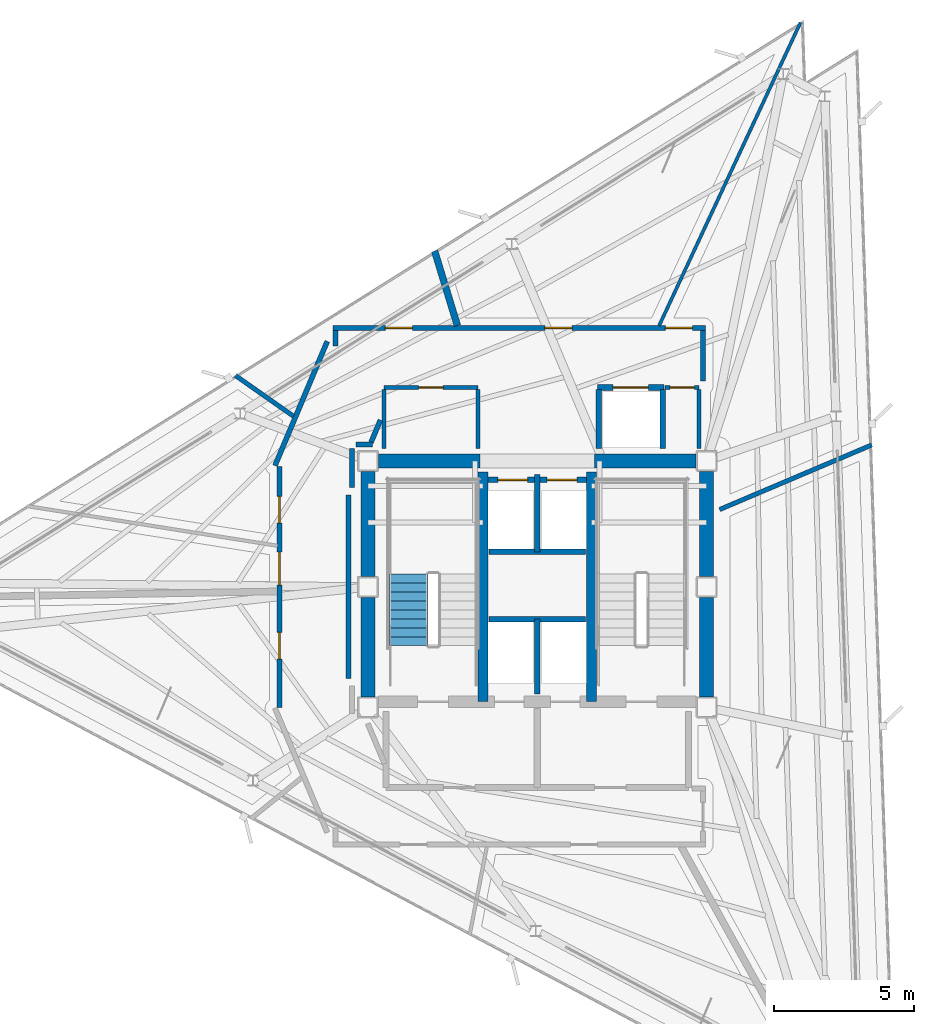
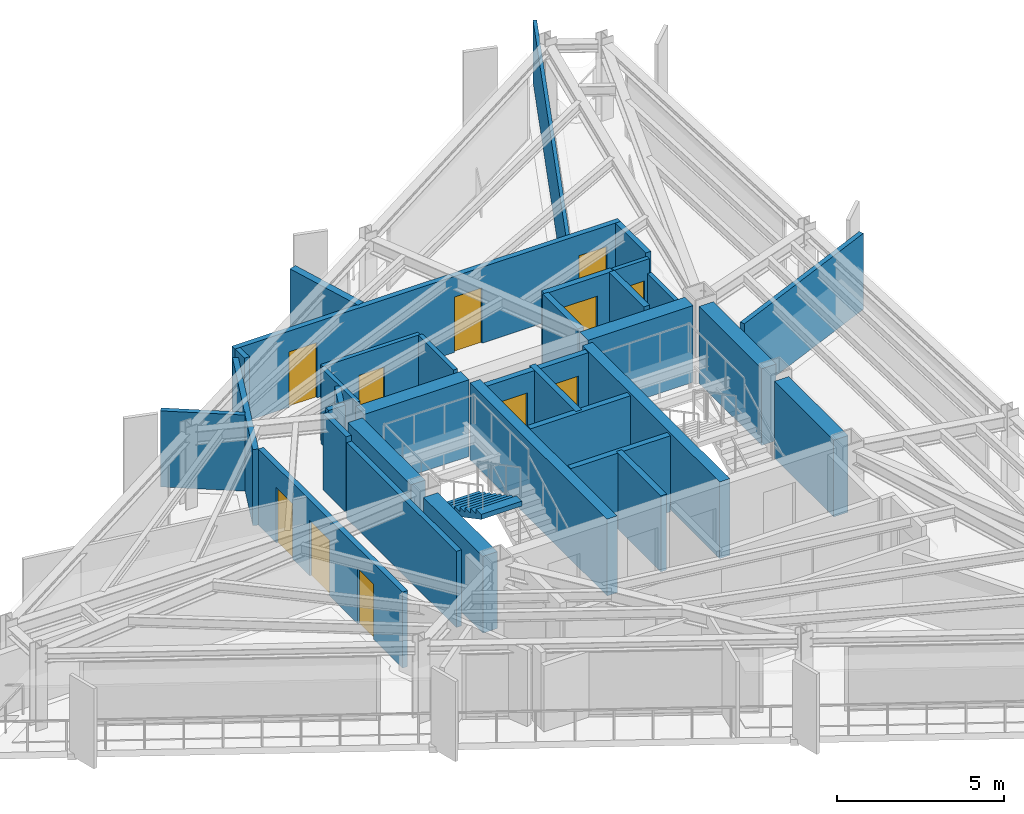
# One storey, part 9 of 13: 34 walls, 11 doors, 1 stair flight, 11 openings, 1 element without a shape of its own.
"""IFC4 building model written with IfcOpenShell, lengths in metres."""

from ifc_helpers import new_model, si_unit, direction, frame, frame_2d, origin, place, context, subcontext, project, spatial, polyline, rectangle, outline, extrude, material, layer, layer_set, type_object, element, fill, aggregate, save


model = new_model("IFC4")

# Units and contexts
model_context = context("Model", 3, precision=1e-05, world=origin(), true_north=direction((0.0, 1.0)))
body_context = subcontext(model_context, "Body", "Model", "MODEL_VIEW")
ifc_project = project(units=[si_unit("LENGTHUNIT", "METRE"), si_unit("AREAUNIT", "SQUARE_METRE"), si_unit("VOLUMEUNIT", "CUBIC_METRE"), si_unit("PLANEANGLEUNIT", "RADIAN"), si_unit("MASSUNIT", "GRAM", prefix="KILO")], contexts=[model_context])

# Site, building, storey
site_placement = place(None, origin())
site = spatial("IfcSite", under=ifc_project, at=site_placement, CompositionType="ELEMENT")
building_placement = place(site_placement, origin())
building = spatial("IfcBuilding", under=site, at=building_placement, Name="Rocaltana Carrier Exchange", CompositionType="ELEMENT")
storey_placement = place(building_placement, frame((0.0, 0.0, 196.639892578125)))
storey = spatial("IfcBuildingStorey", under=building, at=storey_placement, Name="L62", CompositionType="ELEMENT", Elevation=196.639892578125)

# Walls
ifc_material_1 = material(Name="Double Acoustic Gypsum Partition", Category="gypsum")
ifc_layer_1 = layer(ifc_material_1, 0.159912109375)
ifc_layer_set_1 = layer_set([ifc_layer_1], Name="Double Acoustic Gypsum Partition")
wall_type_1 = type_object("IfcWallType", Name="Acoustic Studio Partition 160 EI60", PredefinedType="PARTITIONING", material=ifc_layer_set_1)
wall_1_placement = place(storey_placement, frame((6.510009765625, 2.76318359375, 0.0), z_axis=(0.0, 0.0, 1.0), x_axis=(0.920487144923, 0.390772844543, 0.0)))
element("IfcWall", 1, at=wall_1_placement, inside=storey, type_object=wall_type_1, Name="L62 Suite Divider Wall D5", PredefinedType="PARTITIONING", context=body_context, shape_type="SweptSolid", body=[
    extrude(rectangle(XDim=5.904052734375, YDim=0.159912109375, at=frame_2d((2.9521484375, 0.0))), origin(), (0.0, 0.0, 1.0), 2.773193359375),
])
wall_2_placement = place(storey_placement, frame((-8.71044921875, 6.09912109375, 0.0), z_axis=(0.0, 0.0, 1.0), x_axis=(-0.819154754917, 0.573572565154, 0.0)))
element("IfcWall", 2, at=wall_2_placement, inside=storey, type_object=wall_type_1, Name="L62 Suite Divider Wall D8", PredefinedType="PARTITIONING", context=body_context, shape_type="SweptSolid", body=[
    extrude(rectangle(XDim=2.527099609375, YDim=0.159912109375, at=frame_2d((1.263671875, 0.0))), origin(), (0.0, 0.0, 1.0), 2.773193359375),
])
ifc_material_2 = material(Name="Concrete C50/60", Category="concrete")
ifc_layer_2 = layer(ifc_material_2, 0.35009765625)
ifc_layer_set_2 = layer_set([ifc_layer_2], Name="Concrete C50/60")
wall_type_2 = type_object("IfcWallType", Name="Core Internal Shear Wall 350", PredefinedType="SHEAR", material=ifc_layer_set_2)
for number, where, z_axis, x_axis, name in (
    (3, (-1.93994140625, -4.10009765625, 0.0), (0.0, 0.0, 1.0), (0.0, 1.0, 0.0), "L62 Core Shear Wall CW-STW"),
    (4, (1.93994140625, -4.10009765625, 0.0), (0.0, 0.0, 1.0), (0.0, 1.0, 0.0), "L62 Core Shear Wall CW-STE"),
):
    element("IfcWall", number, at=place(storey_placement, frame(where, z_axis=z_axis, x_axis=x_axis)), inside=storey, type_object=wall_type_2, Name=name, PredefinedType="SHEAR", context=body_context, shape_type="SweptSolid", body=[
        extrude(rectangle(XDim=8.2001953125, YDim=0.35009765625, at=frame_2d((4.10009765625, 0.0))), origin(), (0.0, 0.0, 1.0), 2.798095703125),
    ])
ifc_material_3 = material(Name="Concrete C50/60", Category="concrete")
ifc_layer_3 = layer(ifc_material_3, 0.5)
ifc_layer_set_3 = layer_set([ifc_layer_3], Name="Concrete C50/60")
wall_type_3 = type_object("IfcWallType", Name="Core Shear Wall 500", PredefinedType="SHEAR", material=ifc_layer_set_3)
wall_3_placement = place(storey_placement, frame((-6.050048828125, 0.375, 0.0), z_axis=(0.0, 0.0, 1.0), x_axis=(0.0, 1.0, 0.0)))
element("IfcWall", 5, at=wall_3_placement, inside=storey, type_object=wall_type_3, Name="L62 Core Shear Wall CW-WN", PredefinedType="SHEAR", context=body_context, shape_type="SweptSolid", body=[
    extrude(rectangle(XDim=3.75, YDim=0.5, at=frame_2d((1.875, 0.0))), origin(), (0.0, 0.0, 1.0), 2.798095703125),
])
wall_4_placement = place(storey_placement, frame((-6.050048828125, -3.925048828125, 0.0), z_axis=(0.0, 0.0, 1.0), x_axis=(0.0, 1.0, 0.0)))
element("IfcWall", 6, at=wall_4_placement, inside=storey, type_object=wall_type_3, Name="L62 Core Shear Wall CW-WS", PredefinedType="SHEAR", context=body_context, shape_type="SweptSolid", body=[
    extrude(rectangle(XDim=3.550048828125, YDim=0.5, at=frame_2d((1.77490234375, 0.0))), origin(), (0.0, 0.0, 1.0), 2.798095703125),
])
wall_5_placement = place(storey_placement, frame((6.050048828125, 0.375, 0.0), z_axis=(0.0, 0.0, 1.0), x_axis=(0.0, 1.0, 0.0)))
element("IfcWall", 7, at=wall_5_placement, inside=storey, type_object=wall_type_3, Name="L62 Core Shear Wall CW-EN", PredefinedType="SHEAR", context=body_context, shape_type="SweptSolid", body=[
    extrude(rectangle(XDim=3.75, YDim=0.5, at=frame_2d((1.875, 0.0))), origin(), (0.0, 0.0, 1.0), 2.798095703125),
])
wall_6_placement = place(storey_placement, frame((6.050048828125, -3.925048828125, 0.0), z_axis=(0.0, 0.0, 1.0), x_axis=(0.0, 1.0, 0.0)))
element("IfcWall", 8, at=wall_6_placement, inside=storey, type_object=wall_type_3, Name="L62 Core Shear Wall CW-ES", PredefinedType="SHEAR", context=body_context, shape_type="SweptSolid", body=[
    extrude(rectangle(XDim=3.550048828125, YDim=0.5, at=frame_2d((1.77490234375, 0.0))), origin(), (0.0, 0.0, 1.0), 2.798095703125),
])
for number, where, z_axis, x_axis, name in (
    (9, (-5.675048828125, 4.5, 0.0), (0.0, 0.0, 1.0), (1.0, 0.0, 0.0), "L62 Core Shear Wall CW-N1"),
    (10, (2.050048828125, 4.5, 0.0), (0.0, 0.0, 1.0), (1.0, 0.0, 0.0), "L62 Core Shear Wall CW-N2"),
):
    element("IfcWall", number, at=place(storey_placement, frame(where, z_axis=z_axis, x_axis=x_axis)), inside=storey, type_object=wall_type_3, Name=name, PredefinedType="SHEAR", context=body_context, shape_type="SweptSolid", body=[
        extrude(rectangle(XDim=3.625, YDim=0.5, at=frame_2d((1.8125, 0.0))), origin(), (0.0, 0.0, 1.0), 2.798095703125),
    ])

# Wall, openings, doors
ifc_material_4 = material(Name="Gypsum & Steel Stud Partition", Category="steel")
ifc_layer_4 = layer(ifc_material_4, 0.179931640625)
ifc_layer_set_4 = layer_set([ifc_layer_4], Name="Gypsum & Steel Stud Partition")
wall_type_4 = type_object("IfcWallType", Name="Corridor Fire Partition 180 EI60", PredefinedType="PARTITIONING", material=ifc_layer_set_4)
wall_7_placement = place(storey_placement, frame((-9.199951171875, -4.303466796875, 0.0), z_axis=(0.0, 0.0, 1.0), x_axis=(0.0, 1.0, 0.0)))
wall_7 = element("IfcWall", 11, at=wall_7_placement, inside=storey, type_object=wall_type_4, Name="L62 Corridor Partition 2", PredefinedType="PARTITIONING", context=body_context, shape_type="SweptSolid", body=[
    extrude(rectangle(XDim=8.60693359375, YDim=0.179931640625, at=frame_2d((4.303466796875, 0.0))), origin(), (0.0, 0.0, 1.0), 2.773193359375),
])
opening_1_placement = place(wall_7_placement, frame((1.720947265625, 0.0, 0.0)))
opening_1 = element("IfcOpeningElement", 12, at=opening_1_placement, cuts=wall_7, Name="Opening D-RM098", PredefinedType="OPENING", context=body_context, shape_type="SweptSolid", body=[
    extrude(rectangle(XDim=0.9599609375, YDim=2.02001953125, at=frame_2d((0.47998046875, 1.010009765625))), frame((0.0, 0.099853515625, 0.0), z_axis=(0.0, -1.0, 0.0), x_axis=(1.0, 0.0, 0.0)), (0.0, 0.0, 1.0), 0.199951171875),
])
opening_2_placement = place(wall_7_placement, frame((6.580322265625, 0.0, 0.0)))
opening_2 = element("IfcOpeningElement", 13, at=opening_2_placement, cuts=wall_7, Name="Opening D-RM098", PredefinedType="OPENING", context=body_context, shape_type="SweptSolid", body=[
    extrude(rectangle(XDim=0.9599609375, YDim=2.02001953125, at=frame_2d((0.47998046875, 1.010009765625))), frame((0.0, 0.099853515625, 0.0), z_axis=(0.0, -1.0, 0.0), x_axis=(1.0, 0.0, 0.0)), (0.0, 0.0, 1.0), 0.199951171875),
])
opening_3_placement = place(wall_7_placement, frame((4.366943359375, 0.0, 0.0)))
opening_3 = element("IfcOpeningElement", 14, at=opening_3_placement, cuts=wall_7, Name="Opening D-SU120", PredefinedType="OPENING", context=body_context, shape_type="SweptSolid", body=[
    extrude(rectangle(XDim=1.179931640625, YDim=2.02001953125, at=frame_2d((0.58984375, 1.010009765625))), frame((0.0, 0.099853515625, 0.0), z_axis=(0.0, -1.0, 0.0), x_axis=(1.0, 0.0, 0.0)), (0.0, 0.0, 1.0), 0.199951171875),
])
ifc_material_5 = material(Name="Engineered Hardwood Timber", Category="wood")
door_type_1 = type_object("IfcDoorType", Name="Suite Double Entrance Door 1180x2020", OperationType="NOTDEFINED", PredefinedType="DOOR", material=ifc_material_5)
door_1_placement = place(opening_3_placement, origin())
door_1 = element("IfcDoor", 15, at=door_1_placement, inside=storey, type_object=door_type_1, Name="L62 Carrier Peering Suite Entrance Door", OperationType="SINGLE_SWING_LEFT", OverallHeight=2.02001953125, OverallWidth=1.179931640625, PredefinedType="DOOR", context=body_context, shape_type="SweptSolid", body=[
    extrude(rectangle(XDim=1.179931640625, YDim=2.02001953125, at=frame_2d((0.58984375, 1.010009765625))), frame((0.0, 0.02490234375, 0.0), z_axis=(0.0, -1.0, 0.0), x_axis=(1.0, 0.0, 0.0)), (0.0, 0.0, 1.0), 0.050048828125),
])
fill(opening_3, door_1)
ifc_material_6 = material(Name="Engineered Hardwood Timber", Category="wood")
door_type_2 = type_object("IfcDoorType", Name="Workspace Single Door 960x2020", OperationType="NOTDEFINED", PredefinedType="DOOR", material=ifc_material_6)
door_2_placement = place(opening_1_placement, origin())
door_2 = element("IfcDoor", 16, at=door_2_placement, inside=storey, type_object=door_type_2, Name="L62 Peering Conference Room Entrance Door", OperationType="SINGLE_SWING_LEFT", OverallHeight=2.02001953125, OverallWidth=0.9599609375, PredefinedType="DOOR", context=body_context, shape_type="SweptSolid", body=[
    extrude(rectangle(XDim=0.9599609375, YDim=2.02001953125, at=frame_2d((0.47998046875, 1.010009765625))), frame((0.0, 0.02490234375, 0.0), z_axis=(0.0, -1.0, 0.0), x_axis=(1.0, 0.0, 0.0)), (0.0, 0.0, 1.0), 0.050048828125),
])
fill(opening_1, door_2)
door_3_placement = place(opening_2_placement, origin())
door_3 = element("IfcDoor", 17, at=door_3_placement, inside=storey, type_object=door_type_2, Name="L62 Incident Briefing Room Entrance Door", OperationType="SINGLE_SWING_RIGHT", OverallHeight=2.02001953125, OverallWidth=0.9599609375, PredefinedType="DOOR", context=body_context, shape_type="SweptSolid", body=[
    extrude(rectangle(XDim=0.9599609375, YDim=2.02001953125, at=frame_2d((0.47998046875, 1.010009765625))), frame((0.0, 0.02490234375, 0.0), z_axis=(0.0, -1.0, 0.0), x_axis=(1.0, 0.0, 0.0)), (0.0, 0.0, 1.0), 0.050048828125),
])
fill(opening_2, door_3)

# Walls
wall_8_placement = place(storey_placement, frame((-9.36669921875, 4.331787109375, 0.0), z_axis=(0.0, 0.0, 1.0), x_axis=(0.387573945081, 0.921838617706, 0.0)))
element("IfcWall", 18, at=wall_8_placement, inside=storey, type_object=wall_type_4, Name="L62 Corridor Partition 3", PredefinedType="PARTITIONING", context=body_context, shape_type="SweptSolid", body=[
    extrude(rectangle(XDim=4.813232421875, YDim=0.179931640625, at=frame_2d((2.40673828125, 0.0))), origin(), (0.0, 0.0, 1.0), 2.773193359375),
])
wall_9_placement = place(storey_placement, frame((-7.199951171875, 8.6005859375, 0.0), z_axis=(0.0, 0.0, 1.0), x_axis=(0.0, 1.0, 0.0)))
element("IfcWall", 19, at=wall_9_placement, inside=storey, type_object=wall_type_4, Name="L62 Corridor Partition 4", PredefinedType="PARTITIONING", context=body_context, shape_type="SweptSolid", body=[
    extrude(rectangle(XDim=0.559326171875, YDim=0.179931640625, at=frame_2d((0.27978515625, 0.0))), origin(), (0.0, 0.0, 1.0), 2.773193359375),
])

# Wall, openings, doors
wall_10_placement = place(storey_placement, frame((-7.2900390625, 9.25, 0.0), z_axis=(0.0, 0.0, 1.0), x_axis=(1.0, 0.0, 0.0)))
wall_10 = element("IfcWall", 20, at=wall_10_placement, inside=storey, type_object=wall_type_4, Name="L62 Corridor Partition 5", PredefinedType="PARTITIONING", context=body_context, shape_type="SweptSolid", body=[
    extrude(rectangle(XDim=13.300048828125, YDim=0.179931640625, at=frame_2d((6.64990234375, 0.0))), origin(), (0.0, 0.0, 1.0), 2.773193359375),
])
opening_4_placement = place(wall_10_placement, frame((11.8642578125, 0.0, 0.0)))
opening_4 = element("IfcOpeningElement", 21, at=opening_4_placement, cuts=wall_10, Name="Opening D-RM098", PredefinedType="OPENING", context=body_context, shape_type="SweptSolid", body=[
    extrude(rectangle(XDim=0.9599609375, YDim=2.02001953125, at=frame_2d((0.47998046875, 1.010009765625))), frame((0.0, 0.099853515625, 0.0), z_axis=(0.0, -1.0, 0.0), x_axis=(1.0, 0.0, 0.0)), (0.0, 0.0, 1.0), 0.199951171875),
])
opening_5_placement = place(wall_10_placement, frame((7.560546875, 0.0, 0.0)))
opening_5 = element("IfcOpeningElement", 22, at=opening_5_placement, cuts=wall_10, Name="Opening D-RM098", PredefinedType="OPENING", context=body_context, shape_type="SweptSolid", body=[
    extrude(rectangle(XDim=0.9599609375, YDim=2.02001953125, at=frame_2d((0.47998046875, 1.010009765625))), frame((0.0, 0.099853515625, 0.0), z_axis=(0.0, -1.0, 0.0), x_axis=(1.0, 0.0, 0.0)), (0.0, 0.0, 1.0), 0.199951171875),
])
opening_6_placement = place(wall_10_placement, frame((1.8671875, 0.0, 0.0)))
opening_6 = element("IfcOpeningElement", 23, at=opening_6_placement, cuts=wall_10, Name="Opening D-RM098", PredefinedType="OPENING", context=body_context, shape_type="SweptSolid", body=[
    extrude(rectangle(XDim=0.9599609375, YDim=2.02001953125, at=frame_2d((0.47998046875, 1.010009765625))), frame((0.0, 0.099853515625, 0.0), z_axis=(0.0, -1.0, 0.0), x_axis=(1.0, 0.0, 0.0)), (0.0, 0.0, 1.0), 0.199951171875),
])
door_4_placement = place(opening_4_placement, origin())
door_4 = element("IfcDoor", 24, at=door_4_placement, inside=storey, type_object=door_type_2, Name="L62 Executive Peering Boardroom Entrance Door", OperationType="SINGLE_SWING_LEFT", OverallHeight=2.02001953125, OverallWidth=0.9599609375, PredefinedType="DOOR", context=body_context, shape_type="SweptSolid", body=[
    extrude(rectangle(XDim=0.9599609375, YDim=2.02001953125, at=frame_2d((0.47998046875, 1.010009765625))), frame((0.0, 0.02490234375, 0.0), z_axis=(0.0, -1.0, 0.0), x_axis=(1.0, 0.0, 0.0)), (0.0, 0.0, 1.0), 0.050048828125),
])
fill(opening_4, door_4)
door_5_placement = place(opening_5_placement, origin())
door_5 = element("IfcDoor", 25, at=door_5_placement, inside=storey, type_object=door_type_2, Name="L62 Peering Conference Room Entrance Door", OperationType="SINGLE_SWING_RIGHT", OverallHeight=2.02001953125, OverallWidth=0.9599609375, PredefinedType="DOOR", context=body_context, shape_type="SweptSolid", body=[
    extrude(rectangle(XDim=0.9599609375, YDim=2.02001953125, at=frame_2d((0.47998046875, 1.010009765625))), frame((0.0, 0.02490234375, 0.0), z_axis=(0.0, -1.0, 0.0), x_axis=(1.0, 0.0, 0.0)), (0.0, 0.0, 1.0), 0.050048828125),
])
fill(opening_5, door_5)
door_6_placement = place(opening_6_placement, origin())
door_6 = element("IfcDoor", 26, at=door_6_placement, inside=storey, type_object=door_type_2, Name="L62 Quiet Focus Lounge Entrance Door", OperationType="SINGLE_SWING_LEFT", OverallHeight=2.02001953125, OverallWidth=0.9599609375, PredefinedType="DOOR", context=body_context, shape_type="SweptSolid", body=[
    extrude(rectangle(XDim=0.9599609375, YDim=2.02001953125, at=frame_2d((0.47998046875, 1.010009765625))), frame((0.0, 0.02490234375, 0.0), z_axis=(0.0, -1.0, 0.0), x_axis=(1.0, 0.0, 0.0)), (0.0, 0.0, 1.0), 0.050048828125),
])
fill(opening_6, door_6)

# Walls
wall_11_placement = place(storey_placement, frame((5.919921875, 9.159912109375, 0.0), z_axis=(0.0, 0.0, 1.0), x_axis=(0.0, -1.0, 0.0)))
element("IfcWall", 27, at=wall_11_placement, inside=storey, type_object=wall_type_4, Name="L62 Corridor Partition 6", PredefinedType="PARTITIONING", context=body_context, shape_type="SweptSolid", body=[
    extrude(rectangle(XDim=1.7998046875, YDim=0.179931640625, at=frame_2d((0.89990234375, 0.0))), origin(), (0.0, 0.0, 1.0), 2.773193359375),
])
wall_12_placement = place(storey_placement, frame((-5.602294921875, 5.9580078125, 0.0), z_axis=(0.0, 0.0, 1.0), x_axis=(-0.387588639363, -0.921832439566, 0.0)))
element("IfcWall", 28, at=wall_12_placement, inside=storey, type_object=wall_type_4, Name="L62 Corridor Partition 8", PredefinedType="PARTITIONING", context=body_context, shape_type="SweptSolid", body=[
    extrude(rectangle(XDim=0.8623046875, YDim=0.179931640625, at=frame_2d((0.43115234375, 0.0))), origin(), (0.0, 0.0, 1.0), 2.773193359375),
])
wall_13_placement = place(storey_placement, frame((-5.88134765625, 5.080078125, 0.0), z_axis=(0.0, 0.0, 1.0), x_axis=(-1.0, 0.0, 0.0)))
element("IfcWall", 29, at=wall_13_placement, inside=storey, type_object=wall_type_4, Name="L62 Corridor Partition 9", PredefinedType="PARTITIONING", context=body_context, shape_type="SweptSolid", body=[
    extrude(rectangle(XDim=0.588623046875, YDim=0.179931640625, at=frame_2d((0.29443359375, 0.0))), origin(), (0.0, 0.0, 1.0), 2.773193359375),
])
wall_14_placement = place(storey_placement, frame((-6.610107421875, 4.93994140625, 0.0), z_axis=(0.0, 0.0, 1.0), x_axis=(0.0, -1.0, 0.0)))
element("IfcWall", 30, at=wall_14_placement, inside=storey, type_object=wall_type_4, Name="L62 Corridor Partition 10", PredefinedType="PARTITIONING", context=body_context, shape_type="SweptSolid", body=[
    extrude(rectangle(XDim=1.398681640625, YDim=0.179931640625, at=frame_2d((0.69921875, 0.0))), origin(), (0.0, 0.0, 1.0), 2.773193359375),
])
wall_15_placement = place(storey_placement, frame((-6.75, 3.2734375, 0.0), z_axis=(0.0, 0.0, 1.0), x_axis=(0.0, -1.0, 0.0)))
element("IfcWall", 31, at=wall_15_placement, inside=storey, type_object=wall_type_4, Name="L62 Corridor Partition 11", PredefinedType="PARTITIONING", context=body_context, shape_type="SweptSolid", body=[
    extrude(rectangle(XDim=6.546875, YDim=0.179931640625, at=frame_2d((3.2734375, 0.0))), origin(), (0.0, 0.0, 1.0), 2.773193359375),
])
ifc_material_7 = material(Name="Aluminium 6063-T6 & Acoustic Glass", Category="aluminium")
ifc_layer_5 = layer(ifc_material_7, 0.114990234375)
ifc_layer_set_5 = layer_set([ifc_layer_5], Name="Aluminium 6063-T6 & Acoustic Glass")
wall_type_5 = type_object("IfcWallType", Name="Demountable Glazed Lab Partition 115", PredefinedType="MOVABLE", material=ifc_layer_set_5)
wall_16_placement = place(storey_placement, frame((4.3505859375, 9.330078125, 0.0), z_axis=(0.0, 0.0, 1.0), x_axis=(0.422616983209, 0.906308383225, 0.0)))
element("IfcWall", 32, at=wall_16_placement, inside=storey, type_object=wall_type_5, Name="L62 Suite Divider Wall D6", PredefinedType="MOVABLE", context=body_context, shape_type="SweptSolid", body=[
    extrude(rectangle(XDim=11.9482421875, YDim=0.114990234375, at=frame_2d((5.97412109375, 0.0))), origin(), (0.0, 0.0, 1.0), 2.253173828125),
])
ifc_material_8 = material(Name="Acoustic Calcium Silicate Partition", Category="gypsum")
ifc_layer_6 = layer(ifc_material_8, 0.239990234375)
ifc_layer_set_6 = layer_set([ifc_layer_6], Name="Acoustic Calcium Silicate Partition")
wall_type_6 = type_object("IfcWallType", Name="Heavy Lab Partition 240 EI90", PredefinedType="PARTITIONING", material=ifc_layer_set_6)
wall_17_placement = place(storey_placement, frame((-2.8525390625, 9.330078125, 0.0), z_axis=(0.0, 0.0, 1.0), x_axis=(-0.292329881005, 0.956317541757, 0.0)))
element("IfcWall", 33, at=wall_17_placement, inside=storey, type_object=wall_type_6, Name="L62 Suite Divider Wall D7", PredefinedType="PARTITIONING", context=body_context, shape_type="SweptSolid", body=[
    extrude(rectangle(XDim=2.78515625, YDim=0.239990234375, at=frame_2d((1.392578125, 0.0))), origin(), (0.0, 0.0, 1.0), 2.773193359375),
])
ifc_material_9 = material(Name="Reinforced Concrete Block C35/45", Category="concrete")
ifc_layer_7 = layer(ifc_material_9, 0.199951171875)
ifc_layer_set_7 = layer_set([ifc_layer_7], Name="Reinforced Concrete Block C35/45")
wall_type_7 = type_object("IfcWallType", Name="Lift Hoistway Enclosure Wall 200 EI120", PredefinedType="PARTITIONING", material=ifc_layer_set_7)
wall_18_placement = place(storey_placement, frame((0.0, -3.820068359375, 0.0), z_axis=(0.0, 0.0, 1.0), x_axis=(0.0, 1.0, 0.0)))
element("IfcWall", 34, at=wall_18_placement, inside=storey, type_object=wall_type_7, Name="L62 FFL Shaft Divider", PredefinedType="PARTITIONING", context=body_context, shape_type="SweptSolid", body=[
    extrude(rectangle(XDim=2.670166015625, YDim=0.199951171875, at=frame_2d((1.3349609375, 0.0))), origin(), (0.0, 0.0, 1.0), 2.773193359375),
])
wall_19_placement = place(storey_placement, frame((-1.719970703125, -1.14990234375, 0.0), z_axis=(0.0, 0.0, 1.0), x_axis=(1.0, 0.0, 0.0)))
element("IfcWall", 35, at=wall_19_placement, inside=storey, type_object=wall_type_7, Name="L62 FFL Shaft Back Wall", PredefinedType="PARTITIONING", context=body_context, shape_type="SweptSolid", body=[
    extrude(rectangle(XDim=3.43994140625, YDim=0.199951171875, at=frame_2d((1.719970703125, 0.0))), origin(), (0.0, 0.0, 1.0), 2.773193359375),
])
wall_20_placement = place(storey_placement, frame((0.0, 1.25, 0.0), z_axis=(0.0, 0.0, 1.0), x_axis=(0.0, 1.0, 0.0)))
element("IfcWall", 36, at=wall_20_placement, inside=storey, type_object=wall_type_7, Name="L62 High-Rise Shaft Divider", PredefinedType="PARTITIONING", context=body_context, shape_type="SweptSolid", body=[
    extrude(rectangle(XDim=2.77001953125, YDim=0.199951171875, at=frame_2d((1.385009765625, 0.0))), origin(), (0.0, 0.0, 1.0), 2.773193359375),
])
wall_21_placement = place(storey_placement, frame((-1.719970703125, 1.25, 0.0), z_axis=(0.0, 0.0, 1.0), x_axis=(1.0, 0.0, 0.0)))
element("IfcWall", 37, at=wall_21_placement, inside=storey, type_object=wall_type_7, Name="L62 High-Rise Shaft Back Wall", PredefinedType="PARTITIONING", context=body_context, shape_type="SweptSolid", body=[
    extrude(rectangle(XDim=3.43994140625, YDim=0.199951171875, at=frame_2d((1.719970703125, 0.0))), origin(), (0.0, 0.0, 1.0), 2.773193359375),
])

# Wall, openings, doors
wall_22_placement = place(storey_placement, frame((-1.760009765625, 3.820068359375, 0.0), z_axis=(0.0, 0.0, 1.0), x_axis=(1.0, 0.0, 0.0)))
wall_22 = element("IfcWall", 38, at=wall_22_placement, inside=storey, type_object=wall_type_7, Name="L62 High-Rise Lift Front Wall", PredefinedType="PARTITIONING", context=body_context, shape_type="SweptSolid", body=[
    extrude(rectangle(XDim=3.52001953125, YDim=0.199951171875, at=frame_2d((1.760009765625, 0.0))), origin(), (0.0, 0.0, 1.0), 2.773193359375),
])
opening_7_placement = place(wall_22_placement, frame((0.35009765625, 0.0, 0.0)))
opening_7 = element("IfcOpeningElement", 39, at=opening_7_placement, cuts=wall_22, Name="Opening LD-110", PredefinedType="OPENING", context=body_context, shape_type="SweptSolid", body=[
    extrude(rectangle(XDim=1.06005859375, YDim=2.0400390625, at=frame_2d((0.530029296875, 1.02001953125))), frame((0.0, 0.10986328125, 0.0), z_axis=(0.0, -1.0, 0.0), x_axis=(1.0, 0.0, 0.0)), (0.0, 0.0, 1.0), 0.219970703125),
])
opening_8_placement = place(wall_22_placement, frame((2.110107421875, 0.0, 0.0)))
opening_8 = element("IfcOpeningElement", 40, at=opening_8_placement, cuts=wall_22, Name="Opening LD-110", PredefinedType="OPENING", context=body_context, shape_type="SweptSolid", body=[
    extrude(rectangle(XDim=1.06005859375, YDim=2.0400390625, at=frame_2d((0.530029296875, 1.02001953125))), frame((0.0, 0.10986328125, 0.0), z_axis=(0.0, -1.0, 0.0), x_axis=(1.0, 0.0, 0.0)), (0.0, 0.0, 1.0), 0.219970703125),
])
ifc_material_10 = material(Name="Brushed Stainless Sliding Door Leaf", Category="steel")
door_type_3 = type_object("IfcDoorType", Name="Lift Landing Sliding Door 1060x2040", OperationType="NOTDEFINED", PredefinedType="DOOR", material=ifc_material_10)
door_7_placement = place(opening_7_placement, origin())
door_7 = element("IfcDoor", 41, at=door_7_placement, inside=storey, type_object=door_type_3, Name="L62 High-Rise Lift PLH1 Landing Door", OperationType="SLIDING_TO_LEFT", OverallHeight=2.0400390625, OverallWidth=1.06005859375, PredefinedType="DOOR", context=body_context, shape_type="SweptSolid", body=[
    extrude(rectangle(XDim=1.06005859375, YDim=2.0400390625, at=frame_2d((0.530029296875, 1.02001953125))), frame((0.0, 0.02490234375, 0.0), z_axis=(0.0, -1.0, 0.0), x_axis=(1.0, 0.0, 0.0)), (0.0, 0.0, 1.0), 0.050048828125),
])
fill(opening_7, door_7)
door_8_placement = place(opening_8_placement, origin())
door_8 = element("IfcDoor", 42, at=door_8_placement, inside=storey, type_object=door_type_3, Name="L62 High-Rise Lift PLH2 Landing Door", OperationType="SLIDING_TO_RIGHT", OverallHeight=2.0400390625, OverallWidth=1.06005859375, PredefinedType="DOOR", context=body_context, shape_type="SweptSolid", body=[
    extrude(rectangle(XDim=1.06005859375, YDim=2.0400390625, at=frame_2d((0.530029296875, 1.02001953125))), frame((0.0, 0.02490234375, 0.0), z_axis=(0.0, -1.0, 0.0), x_axis=(1.0, 0.0, 0.0)), (0.0, 0.0, 1.0), 0.050048828125),
])
fill(opening_8, door_8)

# Walls
for number, where, z_axis, x_axis, name in (
    (43, (2.199951171875, 4.949951171875, 0.0), (0.0, 0.0, 1.0), (0.0, 1.0, 0.0), "L62 Goods Lift West Wall"),
    (44, (4.47998046875, 4.949951171875, 0.0), (0.0, 0.0, 1.0), (0.0, 1.0, 0.0), "L62 Goods Lift East Wall"),
):
    element("IfcWall", number, at=place(storey_placement, frame(where, z_axis=z_axis, x_axis=x_axis)), inside=storey, type_object=wall_type_7, Name=name, PredefinedType="PARTITIONING", context=body_context, shape_type="SweptSolid", body=[
        extrude(rectangle(XDim=2.10009765625, YDim=0.199951171875, at=frame_2d((1.050048828125, 0.0))), origin(), (0.0, 0.0, 1.0), 2.773193359375),
    ])

# Wall, opening, door
wall_23_placement = place(storey_placement, frame((2.14990234375, 7.1201171875, 0.0), z_axis=(0.0, 0.0, 1.0), x_axis=(1.0, 0.0, 0.0)))
wall_23 = element("IfcWall", 45, at=wall_23_placement, inside=storey, type_object=wall_type_7, Name="L62 Goods Lift Front Wall", PredefinedType="PARTITIONING", context=body_context, shape_type="SweptSolid", body=[
    extrude(rectangle(XDim=2.380126953125, YDim=0.199951171875, at=frame_2d((1.18994140625, 0.0))), origin(), (0.0, 0.0, 1.0), 2.773193359375),
])
opening_9_placement = place(wall_23_placement, frame((0.56005859375, 0.0, 0.0)))
opening_9 = element("IfcOpeningElement", 46, at=opening_9_placement, cuts=wall_23, Name="Opening LD-130", PredefinedType="OPENING", context=body_context, shape_type="SweptSolid", body=[
    extrude(rectangle(XDim=1.260009765625, YDim=2.06005859375, at=frame_2d((0.6298828125, 1.030029296875))), frame((0.0, 0.10986328125, 0.0), z_axis=(0.0, -1.0, 0.0), x_axis=(1.0, 0.0, 0.0)), (0.0, 0.0, 1.0), 0.219970703125),
])
ifc_material_11 = material(Name="Brushed Stainless Sliding Door Leaf", Category="steel")
door_type_4 = type_object("IfcDoorType", Name="Goods Lift Landing Sliding Door 1260x2060", OperationType="NOTDEFINED", PredefinedType="DOOR", material=ifc_material_11)
door_9_placement = place(opening_9_placement, origin())
door_9 = element("IfcDoor", 47, at=door_9_placement, inside=storey, type_object=door_type_4, Name="L62 Goods Lift GL-1 Landing Door", OperationType="SLIDING_TO_LEFT", OverallHeight=2.06005859375, OverallWidth=1.260009765625, PredefinedType="DOOR", context=body_context, shape_type="SweptSolid", body=[
    extrude(rectangle(XDim=1.260009765625, YDim=2.06005859375, at=frame_2d((0.6298828125, 1.030029296875))), frame((0.0, 0.02490234375, 0.0), z_axis=(0.0, -1.0, 0.0), x_axis=(1.0, 0.0, 0.0)), (0.0, 0.0, 1.0), 0.050048828125),
])
fill(opening_9, door_9)

# Walls
ifc_material_12 = material(Name="Moisture-Resistant Masonry C30/37", Category="masonry")
ifc_layer_8 = layer(ifc_material_12, 0.139892578125)
ifc_layer_set_8 = layer_set([ifc_layer_8], Name="Moisture-Resistant Masonry C30/37")
wall_type_8 = type_object("IfcWallType", Name="Wet-Area Sanitary Partition 140", PredefinedType="PARTITIONING", material=ifc_layer_set_8)
for number, where, z_axis, x_axis, name in (
    (48, (-5.47998046875, 4.949951171875, 0.0), (0.0, 0.0, 1.0), (0.0, 1.0, 0.0), "L62 Sanitary West Wall"),
    (49, (-2.1201171875, 4.949951171875, 0.0), (0.0, 0.0, 1.0), (0.0, 1.0, 0.0), "L62 Sanitary East Wall"),
):
    element("IfcWall", number, at=place(storey_placement, frame(where, z_axis=z_axis, x_axis=x_axis)), inside=storey, type_object=wall_type_8, Name=name, PredefinedType="PARTITIONING", context=body_context, shape_type="SweptSolid", body=[
        extrude(rectangle(XDim=2.10009765625, YDim=0.139892578125, at=frame_2d((1.050048828125, 0.0))), origin(), (0.0, 0.0, 1.0), 2.773193359375),
    ])

# Wall, opening, door
wall_24_placement = place(storey_placement, frame((-5.47998046875, 7.1201171875, 0.0), z_axis=(0.0, 0.0, 1.0), x_axis=(1.0, 0.0, 0.0)))
wall_24 = element("IfcWall", 50, at=wall_24_placement, inside=storey, type_object=wall_type_8, Name="L62 Sanitary North Wall", PredefinedType="PARTITIONING", context=body_context, shape_type="SweptSolid", body=[
    extrude(rectangle(XDim=3.35986328125, YDim=0.139892578125, at=frame_2d((1.679931640625, 0.0))), origin(), (0.0, 0.0, 1.0), 2.773193359375),
])
opening_10_placement = place(wall_24_placement, frame((1.239990234375, 0.0, 0.0)))
opening_10 = element("IfcOpeningElement", 51, at=opening_10_placement, cuts=wall_24, Name="Opening D-WC090", PredefinedType="OPENING", context=body_context, shape_type="SweptSolid", body=[
    extrude(rectangle(XDim=0.8798828125, YDim=2.02001953125, at=frame_2d((0.43994140625, 1.010009765625))), frame((0.0, 0.079833984375, 0.0), z_axis=(0.0, -1.0, 0.0), x_axis=(1.0, 0.0, 0.0)), (0.0, 0.0, 1.0), 0.159912109375),
])
ifc_material_13 = material(Name="High-Pressure Laminate Timber", Category="wood")
door_type_5 = type_object("IfcDoorType", Name="Restroom & Accessible WC Door 880x2020", OperationType="NOTDEFINED", PredefinedType="DOOR", material=ifc_material_13)
door_10_placement = place(opening_10_placement, origin())
door_10 = element("IfcDoor", 52, at=door_10_placement, inside=storey, type_object=door_type_5, Name="L62 Accessible Toilet Door", OperationType="SINGLE_SWING_LEFT", OverallHeight=2.02001953125, OverallWidth=0.8798828125, PredefinedType="DOOR", context=body_context, shape_type="SweptSolid", body=[
    extrude(rectangle(XDim=0.8798828125, YDim=2.02001953125, at=frame_2d((0.43994140625, 1.010009765625))), frame((0.0, 0.02490234375, 0.0), z_axis=(0.0, -1.0, 0.0), x_axis=(1.0, 0.0, 0.0)), (0.0, 0.0, 1.0), 0.050048828125),
])
fill(opening_10, door_10)

# Wall
wall_25_placement = place(storey_placement, frame((5.780029296875, 4.949951171875, 0.0), z_axis=(0.0, 0.0, 1.0), x_axis=(0.0, 1.0, 0.0)))
element("IfcWall", 53, at=wall_25_placement, inside=storey, type_object=wall_type_8, Name="L62 Restroom East Wall", PredefinedType="PARTITIONING", context=body_context, shape_type="SweptSolid", body=[
    extrude(rectangle(XDim=2.10009765625, YDim=0.139892578125, at=frame_2d((1.050048828125, 0.0))), origin(), (0.0, 0.0, 1.0), 2.253173828125),
])

# Wall, opening, door
wall_26_placement = place(storey_placement, frame((4.56005859375, 7.1201171875, 0.0), z_axis=(0.0, 0.0, 1.0), x_axis=(1.0, 0.0, 0.0)))
wall_26 = element("IfcWall", 54, at=wall_26_placement, inside=storey, type_object=wall_type_8, Name="L62 Restroom North Wall", PredefinedType="PARTITIONING", context=body_context, shape_type="SweptSolid", body=[
    extrude(rectangle(XDim=1.219970703125, YDim=0.139892578125, at=frame_2d((0.60986328125, 0.0))), origin(), (0.0, 0.0, 1.0), 2.773193359375),
])
opening_11_placement = place(wall_26_placement, frame((0.169921875, 0.0, 0.0)))
opening_11 = element("IfcOpeningElement", 55, at=opening_11_placement, cuts=wall_26, Name="Opening D-WC090", PredefinedType="OPENING", context=body_context, shape_type="SweptSolid", body=[
    extrude(rectangle(XDim=0.8798828125, YDim=2.02001953125, at=frame_2d((0.43994140625, 1.010009765625))), frame((0.0, 0.079833984375, 0.0), z_axis=(0.0, -1.0, 0.0), x_axis=(1.0, 0.0, 0.0)), (0.0, 0.0, 1.0), 0.159912109375),
])
door_11_placement = place(opening_11_placement, origin())
door_11 = element("IfcDoor", 56, at=door_11_placement, inside=storey, type_object=door_type_5, Name="L62 Staff Restroom Door", OperationType="SINGLE_SWING_RIGHT", OverallHeight=2.02001953125, OverallWidth=0.8798828125, PredefinedType="DOOR", context=body_context, shape_type="SweptSolid", body=[
    extrude(rectangle(XDim=0.8798828125, YDim=2.02001953125, at=frame_2d((0.43994140625, 1.010009765625))), frame((0.0, 0.02490234375, 0.0), z_axis=(0.0, -1.0, 0.0), x_axis=(1.0, 0.0, 0.0)), (0.0, 0.0, 1.0), 0.050048828125),
])
fill(opening_11, door_11)

# Stair, stair flight
ifc_material_14 = material(Name="Precast concrete C45/55", Category="concrete")
stair_type = type_object("IfcStairType", Name="Standard Dog-Leg Stair 160", PredefinedType="HALF_TURN_STAIR", material=ifc_material_14)
stair_placement = place(storey_placement, origin())
stair = element("IfcStair", 57, at=stair_placement, inside=storey, type_object=stair_type, Name="L62 Core West Exit Stair ST-1", PredefinedType="HALF_TURN_STAIR")
ifc_material_15 = material(Name="Precast concrete C45/55", Category="concrete")
stair_flight_type = type_object("IfcStairFlightType", Name="Precast Stair Flight 160", PredefinedType="STRAIGHT", material=ifc_material_15)
stair_flight_placement = place(storey_placement, frame((-4.60009765625, 0.4599609375, 1.52001953125), z_axis=(0.0, 0.0, 1.0), x_axis=(0.0, -1.0, 0.0)))
stair_flight = element("IfcStairFlight", 58, at=stair_flight_placement, type_object=stair_flight_type, Name="ST-1 flight 2", NumberOfRisers=9, NumberOfTreads=8, PredefinedType="STRAIGHT", RiserHeight=0.168888889, TreadLength=0.32, context=body_context, shape_type="SweptSolid", body=[
    extrude(outline(polyline([(0.0, 0.0), (0.0, 0.1689453125), (0.320068359375, 0.1689453125), (0.320068359375, 0.337890625), (0.639892578125, 0.337890625), (0.639892578125, 0.506591796875), (0.9599609375, 0.506591796875), (0.9599609375, 0.675537109375), (1.280029296875, 0.675537109375), (1.280029296875, 0.844482421875), (1.60009765625, 0.844482421875), (1.60009765625, 1.013427734375), (1.919921875, 1.013427734375), (1.919921875, 1.18212890625), (2.239990234375, 1.18212890625), (2.239990234375, 1.35107421875), (2.56005859375, 1.35107421875), (2.56005859375, 1.52001953125), (2.56005859375, 1.17041015625), (0.342529296875, 0.0), (0.0, 0.0)])), frame((0.0, 0.699951171875, 0.0), z_axis=(0.0, -1.0, 0.0), x_axis=(1.0, 0.0, 0.0)), (0.0, 0.0, 1.0), 1.39990234375),
])
aggregate(stair, [stair_flight])

save(model, "model.ifc")
